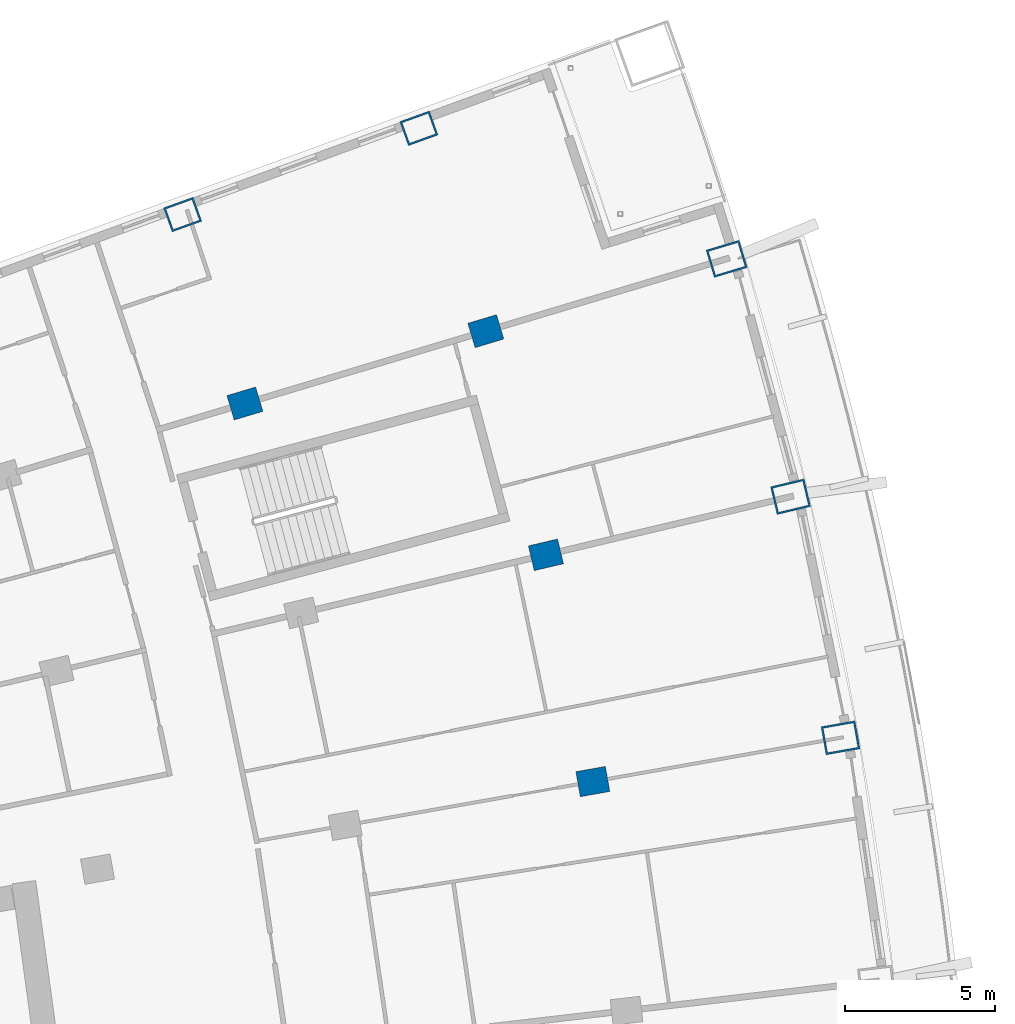
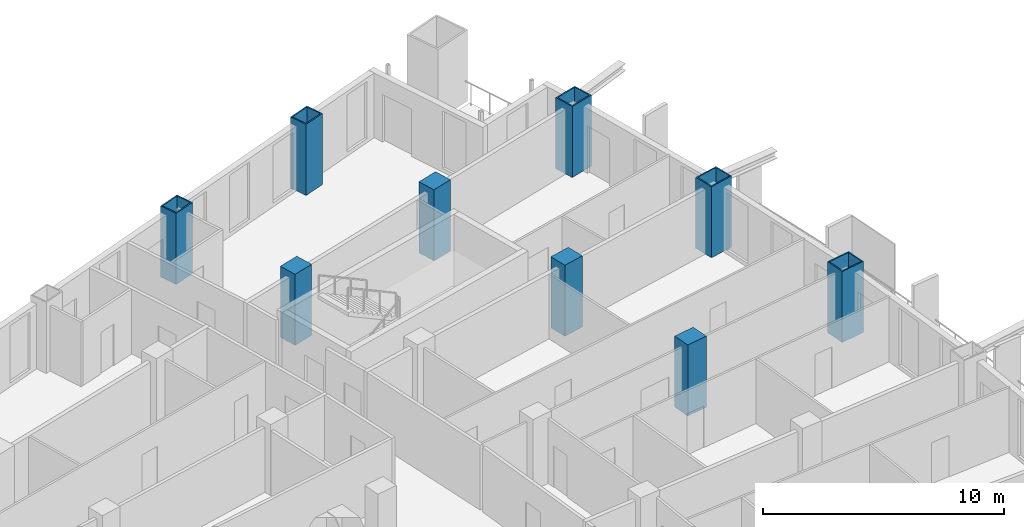
# One storey, part 10 of 25: 9 columns.
"""IFC4 building model written with IfcOpenShell, lengths in metres."""

from ifc_helpers import new_model, si_unit, direction, frame, origin, origin_2d, place, context, subcontext, project, spatial, rectangle, hollow_rectangle, extrude, material, material_profile, profile_set, type_object, element, save


model = new_model("IFC4")

# Units and contexts
model_context = context("Model", 3, precision=1e-05, world=origin(), true_north=direction((0.0, 1.0)))
body_context = subcontext(model_context, "Body", "Model", "MODEL_VIEW")
ifc_project = project(units=[si_unit("LENGTHUNIT", "METRE"), si_unit("AREAUNIT", "SQUARE_METRE"), si_unit("VOLUMEUNIT", "CUBIC_METRE"), si_unit("PLANEANGLEUNIT", "RADIAN"), si_unit("MASSUNIT", "GRAM", prefix="KILO")], contexts=[model_context])

# Site, building, storey
site_placement = place(None, origin())
site = spatial("IfcSite", under=ifc_project, at=site_placement, CompositionType="ELEMENT")
building_placement = place(site_placement, origin())
building = spatial("IfcBuilding", under=site, at=building_placement, Name="Alderwake Tower", CompositionType="ELEMENT")
storey_placement = place(building_placement, frame((0.0, 0.0, 107.60009765625)))
storey = spatial("IfcBuildingStorey", under=building, at=storey_placement, Name="L26", CompositionType="ELEMENT", Elevation=107.60009765625)

# Columns
ifc_material_1 = material(Name="Steel ASTM A572 Grade 50 concrete filled C70/85", Category="concrete")
ifc_material_profile_1 = material_profile(ifc_material_1, hollow_rectangle(XDim=0.85009765625, YDim=1.050048828125, WallThickness=0.06005859375, at=origin_2d()), Name="BOX 1050X850X60")
ifc_profile_set_1 = profile_set([ifc_material_profile_1], Name="Steel ASTM A572 Grade 50 concrete filled C70/85")
column_type_1 = type_object("IfcColumnType", Name="End column Z2", PredefinedType="COLUMN", material=ifc_profile_set_1)
for number, where, z_axis, x_axis, name in (
    (1, (36.87451171875, 103.023681640625, 0.0), (0.0, 0.0, 1.0), (-0.338355272059, 0.941018442896, 0.0), "Column R13-C3"),
    (2, (44.765380859375, 105.904296875, 0.0), (0.0, 0.0, 1.0), (-0.338644316206, 0.940914463223, 0.0), "Column R13-C4"),
):
    element("IfcColumn", number, at=place(storey_placement, frame(where, z_axis=z_axis, x_axis=x_axis)), inside=storey, type_object=column_type_1, Name=name, PredefinedType="COLUMN", context=body_context, shape_type="SweptSolid", body=[
        extrude(hollow_rectangle(XDim=0.85009765625, YDim=1.050048828125, WallThickness=0.06005859375, at=origin_2d()), origin(), (0.0, 0.0, 1.0), 3.599853515625),
    ])
ifc_material_2 = material(Name="Concrete C70/85", Category="concrete")
ifc_material_profile_2 = material_profile(ifc_material_2, rectangle(XDim=0.85009765625, YDim=1.0, at=origin_2d()), Name="RC 1000X850")
ifc_profile_set_2 = profile_set([ifc_material_profile_2], Name="Concrete C70/85")
column_type_2 = type_object("IfcColumnType", Name="Interior column Z2", PredefinedType="COLUMN", material=ifc_profile_set_2)
for number, where, z_axis, x_axis, name in (
    (3, (50.57470703125, 84.086669921875, 0.0), (0.0, 0.0, 1.0), (-0.174107082075, 0.984726725529, 0.0), "Column R10-C4"),
    (4, (49.006591796875, 91.659912109375, 0.0), (0.0, 0.0, 1.0), (-0.231221547198, 0.972901123502, 0.0), "Column R11-C4"),
    (5, (38.95458984375, 96.713623046875, 0.0), (0.0, 0.0, 1.0), (-0.287549418125, 0.957765802342, 0.0), "Column R12-C3"),
    (6, (46.999755859375, 99.12890625, 0.0), (0.0, 0.0, 1.0), (-0.287549418125, 0.957765802342, 0.0), "Column R12-C4"),
):
    element("IfcColumn", number, at=place(storey_placement, frame(where, z_axis=z_axis, x_axis=x_axis)), inside=storey, type_object=column_type_2, Name=name, PredefinedType="COLUMN", context=body_context, shape_type="SweptSolid", body=[
        extrude(rectangle(XDim=0.85009765625, YDim=1.0, at=origin_2d()), origin(), (0.0, 0.0, 1.0), 3.599853515625),
    ])
ifc_material_3 = material(Name="Steel ASTM A572 Grade 50 concrete filled C70/85", Category="concrete")
ifc_material_profile_3 = material_profile(ifc_material_3, hollow_rectangle(XDim=0.949951171875, YDim=1.14990234375, WallThickness=0.06005859375, at=origin_2d()), Name="BOX 1150X950X60")
ifc_profile_set_3 = profile_set([ifc_material_profile_3], Name="Steel ASTM A572 Grade 50 concrete filled C70/85")
column_type_3 = type_object("IfcColumnType", Name="Perimeter column Z2", PredefinedType="COLUMN", material=ifc_profile_set_3)
for number, where, z_axis, x_axis, name in (
    (7, (58.846435546875, 85.54931640625, 0.0), (0.0, 0.0, 1.0), (-0.174107082075, 0.984726725529, 0.0), "Column R10-C5"),
    (8, (57.178955078125, 93.602294921875, 0.0), (0.0, 0.0, 1.0), (-0.231221547198, 0.972901123502, 0.0), "Column R11-C5"),
    (9, (55.044921875, 101.54443359375, 0.0), (0.0, 0.0, 1.0), (-0.287549418125, 0.957765802342, 0.0), "Column R12-C5"),
):
    element("IfcColumn", number, at=place(storey_placement, frame(where, z_axis=z_axis, x_axis=x_axis)), inside=storey, type_object=column_type_3, Name=name, PredefinedType="COLUMN", context=body_context, shape_type="SweptSolid", body=[
        extrude(hollow_rectangle(XDim=0.949951171875, YDim=1.14990234375, WallThickness=0.06005859375, at=origin_2d()), origin(), (0.0, 0.0, 1.0), 3.599853515625),
    ])

save(model, "model.ifc")
